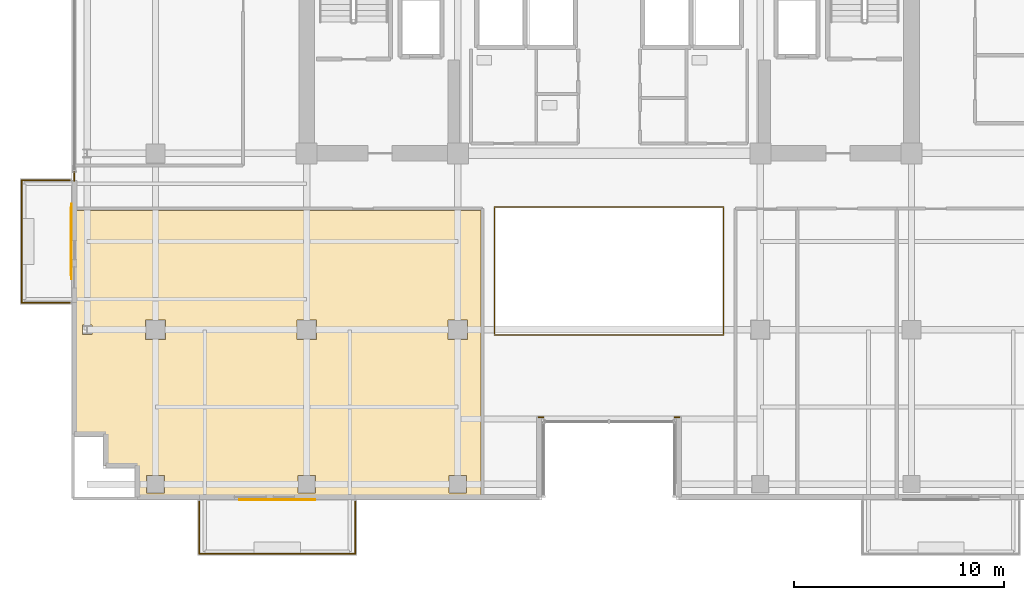
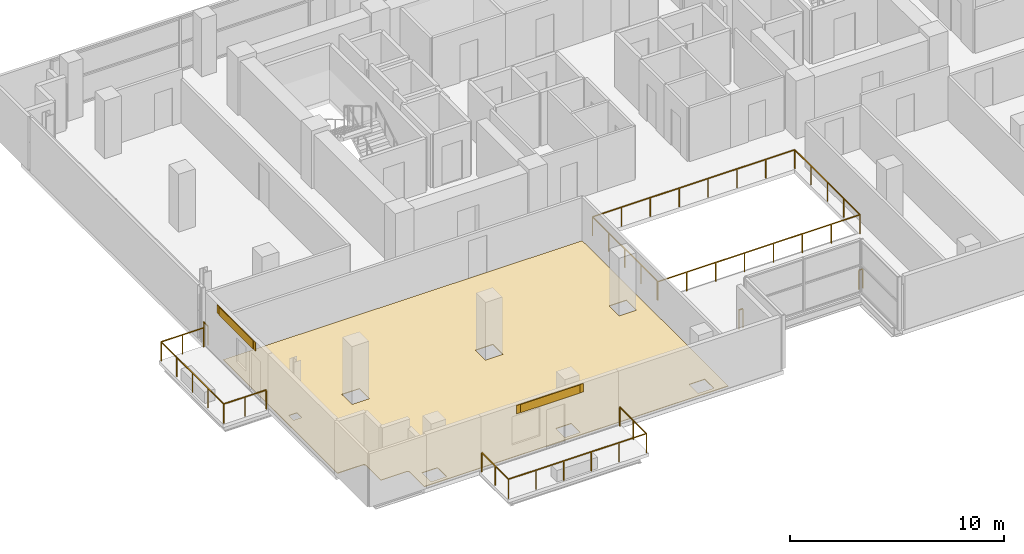
# One storey, part 19 of 22: 6 railings, 3 coverings, 2 shading devices.
"""IFC4 building model written with IfcOpenShell, lengths in metres."""

from ifc_helpers import new_model, si_unit, direction, frame, origin, origin_2d, place, context, subcontext, project, spatial, polyline, rectangle, outline, extrude, source, transform, mapped, material, layer, layer_set, type_object, element, save


model = new_model("IFC4")

# Units and contexts
model_context = context("Model", 3, precision=1e-05, world=origin(), true_north=direction((0.0, 1.0)))
body_context = subcontext(model_context, "Body", "Model", "MODEL_VIEW")
ifc_project = project(units=[si_unit("LENGTHUNIT", "METRE"), si_unit("AREAUNIT", "SQUARE_METRE"), si_unit("VOLUMEUNIT", "CUBIC_METRE"), si_unit("PLANEANGLEUNIT", "RADIAN"), si_unit("MASSUNIT", "GRAM", prefix="KILO")], contexts=[model_context])

# Site, building, storey
site_placement = place(None, origin())
site = spatial("IfcSite", under=ifc_project, at=site_placement, CompositionType="ELEMENT")
building_placement = place(site_placement, origin())
building = spatial("IfcBuilding", under=site, at=building_placement, Name="Zarnakvel Exchange Tower", CompositionType="ELEMENT")
storey_placement = place(building_placement, frame((0.0, 0.0, 136.300048828125)))
storey = spatial("IfcBuildingStorey", under=building, at=storey_placement, Name="L38", CompositionType="ELEMENT", Elevation=136.300048828125)

# Covering
ifc_material_1 = material(Name="Heavy-Duty Raised Access Floor Panel", Category="steel")
ifc_layer_1 = layer(ifc_material_1, 0.034912109375)
ifc_layer_set_1 = layer_set([ifc_layer_1], Name="Heavy-Duty Raised Access Floor Panel")
covering_type_1 = type_object("IfcCoveringType", Name="FLR-02", PredefinedType="FLOORING", material=ifc_layer_set_1)
covering_placement = place(storey_placement, origin())
element("IfcCovering", 1, at=covering_placement, inside=storey, type_object=covering_type_1, Name="L38 Floor Finish (Sovereign Wealth Office)", PredefinedType="FLOORING", context=body_context, shape_type="SweptSolid", body=[
    extrude(outline(polyline([(-6.10009765625, -3.909912109375), (-6.10009765625, -17.550048828125), (-22.47998046875, -17.550048828125), (-22.47998046875, -16.199951171875), (-22.48046875, -16.188232421875), (-22.482421875, -16.176513671875), (-22.485107421875, -16.165283203125), (-22.489013671875, -16.154052734375), (-22.494140625, -16.143310546875), (-22.500244140625, -16.13330078125), (-22.50732421875, -16.123779296875), (-22.51513671875, -16.115234375), (-22.52392578125, -16.107177734375), (-22.533447265625, -16.100341796875), (-22.54345703125, -16.09423828125), (-22.55419921875, -16.089111328125), (-22.565185546875, -16.085205078125), (-22.57666015625, -16.082275390625), (-22.588134765625, -16.08056640625), (-22.60009765625, -16.080078125), (-23.97998046875, -16.080078125), (-23.97998046875, -14.699951171875), (-23.98046875, -14.688232421875), (-23.982421875, -14.676513671875), (-23.985107421875, -14.665283203125), (-23.989013671875, -14.654052734375), (-23.994140625, -14.643310546875), (-24.000244140625, -14.63330078125), (-24.00732421875, -14.623779296875), (-24.01513671875, -14.615234375), (-24.02392578125, -14.607177734375), (-24.033447265625, -14.600341796875), (-24.04345703125, -14.59423828125), (-24.05419921875, -14.589111328125), (-24.065185546875, -14.585205078125), (-24.07666015625, -14.582275390625), (-24.088134765625, -14.58056640625), (-24.10009765625, -14.580078125), (-25.449951171875, -14.580078125), (-25.449951171875, -3.909912109375), (-6.10009765625, -3.909912109375)]), holes=[polyline([(-7.669921875, -10.070068359375), (-6.72998046875, -10.070068359375), (-6.72998046875, -9.1298828125), (-7.669921875, -9.1298828125), (-7.669921875, -10.070068359375)]), polyline([(-6.780029296875, -17.3701171875), (-6.780029296875, -16.530029296875), (-7.6201171875, -16.530029296875), (-7.6201171875, -17.3701171875), (-6.780029296875, -17.3701171875)]), polyline([(-13.929931640625, -10.070068359375), (-13.929931640625, -9.1298828125), (-14.8701171875, -9.1298828125), (-14.8701171875, -10.070068359375), (-13.929931640625, -10.070068359375)]), polyline([(-13.97998046875, -17.3701171875), (-13.97998046875, -16.530029296875), (-14.820068359375, -16.530029296875), (-14.820068359375, -17.3701171875), (-13.97998046875, -17.3701171875)]), polyline([(-21.1298828125, -10.070068359375), (-21.1298828125, -9.1298828125), (-22.070068359375, -9.1298828125), (-22.070068359375, -10.070068359375), (-21.1298828125, -10.070068359375)]), polyline([(-21.179931640625, -17.3701171875), (-21.179931640625, -16.530029296875), (-22.02001953125, -16.530029296875), (-22.02001953125, -17.3701171875), (-21.179931640625, -17.3701171875)]), polyline([(-25.072021484375, -9.823486328125), (-24.6279296875, -9.823486328125), (-24.6279296875, -9.37646484375), (-25.072021484375, -9.37646484375), (-25.072021484375, -9.823486328125)])]), origin(), (0.0, 0.0, 1.0), 0.034912109375),
])

# Railings
ifc_material_2 = material(Name="Architectural Bronze Anodised Aluminium", Category="aluminium")
railing_type_1 = type_object("IfcRailingType", Name="GR-02", PredefinedType="GUARDRAIL", material=ifc_material_2)
railing_1_placement = place(storey_placement, frame((-19.52001953125, -17.780029296875, -0.03515625)))
element("IfcRailing", 2, at=railing_1_placement, inside=storey, type_object=railing_type_1, Name="L38 Balcony Guardrail BAL-L38-SW", PredefinedType="GUARDRAIL", context=body_context, shape_type="SweptSolid", body=[
    extrude(rectangle(XDim=0.048095703125, YDim=0.048095703125, at=origin_2d()), frame((0.0, 0.0, 1.09619140625), z_axis=(0.0, -1.0, 0.0), x_axis=(1.0, 0.0, 0.0)), (0.0, 0.0, 1.0), 2.489990234375),
    extrude(rectangle(XDim=0.048095703125, YDim=0.048095703125, at=origin_2d()), frame((0.0, -2.489990234375, 1.09619140625), z_axis=(1.0, 0.0, 0.0), x_axis=(0.0, 1.0, 0.0)), (0.0, 0.0, 1.0), 7.43994140625),
    extrude(rectangle(XDim=0.048095703125, YDim=0.048095703125, at=origin_2d()), frame((7.43994140625, -2.489990234375, 1.09619140625), z_axis=(0.0, 1.0, 0.0), x_axis=(-1.0, 0.0, 0.0)), (0.0, 0.0, 1.0), 2.489990234375),
    extrude(rectangle(XDim=0.0419921875, YDim=0.0419921875, at=origin_2d()), origin(), (0.0, 0.0, 1.0), 1.072021484375),
    extrude(rectangle(XDim=0.0419921875, YDim=0.0419921875, at=origin_2d()), frame((0.0, -1.2451171875, 0.0)), (0.0, 0.0, 1.0), 1.072021484375),
    extrude(rectangle(XDim=0.0419921875, YDim=0.0419921875, at=origin_2d()), frame((0.0, -2.489990234375, 0.0)), (0.0, 0.0, 1.0), 1.072021484375),
    extrude(rectangle(XDim=0.0419921875, YDim=0.0419921875, at=origin_2d()), frame((1.488037109375, -2.489990234375, 0.0)), (0.0, 0.0, 1.0), 1.072021484375),
    extrude(rectangle(XDim=0.0419921875, YDim=0.0419921875, at=origin_2d()), frame((2.97607421875, -2.489990234375, 0.0)), (0.0, 0.0, 1.0), 1.072021484375),
    extrude(rectangle(XDim=0.0419921875, YDim=0.0419921875, at=origin_2d()), frame((4.4638671875, -2.489990234375, 0.0)), (0.0, 0.0, 1.0), 1.072021484375),
    extrude(rectangle(XDim=0.0419921875, YDim=0.0419921875, at=origin_2d()), frame((5.951904296875, -2.489990234375, 0.0)), (0.0, 0.0, 1.0), 1.072021484375),
    extrude(rectangle(XDim=0.0419921875, YDim=0.0419921875, at=origin_2d()), frame((7.43994140625, -2.489990234375, 0.0)), (0.0, 0.0, 1.0), 1.072021484375),
    extrude(rectangle(XDim=0.0419921875, YDim=0.0419921875, at=origin_2d()), frame((7.43994140625, -1.2451171875, 0.0)), (0.0, 0.0, 1.0), 1.072021484375),
    extrude(rectangle(XDim=0.0419921875, YDim=0.0419921875, at=origin_2d()), frame((7.43994140625, 0.0, 0.0)), (0.0, 0.0, 1.0), 1.072021484375),
])
railing_2_placement = place(storey_placement, frame((-25.679931640625, -8.320068359375, -0.03515625)))
element("IfcRailing", 3, at=railing_2_placement, inside=storey, type_object=railing_type_1, Name="L38 Balcony Guardrail BAL-L38-W", PredefinedType="GUARDRAIL", context=body_context, shape_type="SweptSolid", body=[
    extrude(rectangle(XDim=0.048095703125, YDim=0.048095703125, at=origin_2d()), frame((0.0, 0.0, 1.09619140625), z_axis=(-1.0, 0.0, 0.0), x_axis=(0.0, -1.0, 0.0)), (0.0, 0.0, 1.0), 2.2900390625),
    extrude(rectangle(XDim=0.048095703125, YDim=0.048095703125, at=origin_2d()), frame((-2.2900390625, 0.0, 1.09619140625), z_axis=(0.0, 1.0, 0.0), x_axis=(-1.0, 0.0, 0.0)), (0.0, 0.0, 1.0), 5.840087890625),
    extrude(rectangle(XDim=0.048095703125, YDim=0.048095703125, at=origin_2d()), frame((-2.2900390625, 5.840087890625, 1.09619140625), z_axis=(1.0, 0.0, 0.0), x_axis=(0.0, 1.0, 0.0)), (0.0, 0.0, 1.0), 2.2900390625),
    extrude(rectangle(XDim=0.0419921875, YDim=0.0419921875, at=origin_2d()), origin(), (0.0, 0.0, 1.0), 1.072021484375),
    extrude(rectangle(XDim=0.0419921875, YDim=0.0419921875, at=origin_2d()), frame((-1.14501953125, 0.0, 0.0)), (0.0, 0.0, 1.0), 1.072021484375),
    extrude(rectangle(XDim=0.0419921875, YDim=0.0419921875, at=origin_2d()), frame((-2.2900390625, 0.0, 0.0)), (0.0, 0.0, 1.0), 1.072021484375),
    extrude(rectangle(XDim=0.0419921875, YDim=0.0419921875, at=origin_2d()), frame((-2.2900390625, 1.4599609375, 0.0)), (0.0, 0.0, 1.0), 1.072021484375),
    extrude(rectangle(XDim=0.0419921875, YDim=0.0419921875, at=origin_2d()), frame((-2.2900390625, 2.919921875, 0.0)), (0.0, 0.0, 1.0), 1.072021484375),
    extrude(rectangle(XDim=0.0419921875, YDim=0.0419921875, at=origin_2d()), frame((-2.2900390625, 4.380126953125, 0.0)), (0.0, 0.0, 1.0), 1.072021484375),
    extrude(rectangle(XDim=0.0419921875, YDim=0.0419921875, at=origin_2d()), frame((-2.2900390625, 5.840087890625, 0.0)), (0.0, 0.0, 1.0), 1.072021484375),
    extrude(rectangle(XDim=0.0419921875, YDim=0.0419921875, at=origin_2d()), frame((-1.14501953125, 5.840087890625, 0.0)), (0.0, 0.0, 1.0), 1.072021484375),
    extrude(rectangle(XDim=0.0419921875, YDim=0.0419921875, at=origin_2d()), frame((0.0, 5.840087890625, 0.0)), (0.0, 0.0, 1.0), 1.072021484375),
])
railing_3_placement = place(storey_placement, frame((-25.4599609375, -2.5, 0.0)))
element("IfcRailing", 4, at=railing_3_placement, inside=storey, type_object=railing_type_1, Name="L38 Corner Spandrel Balustrade #2", PredefinedType="GUARDRAIL", context=body_context, shape_type="SweptSolid", body=[
    extrude(rectangle(XDim=0.048095703125, YDim=0.048095703125, at=origin_2d()), frame((0.0, 0.0, 1.09619140625), z_axis=(0.0, 1.0, 0.0), x_axis=(-1.0, 0.0, 0.0)), (0.0, 0.0, 1.0), 0.39990234375),
    extrude(rectangle(XDim=0.0419921875, YDim=0.0419921875, at=origin_2d()), origin(), (0.0, 0.0, 1.0), 1.072021484375),
    extrude(rectangle(XDim=0.0419921875, YDim=0.0419921875, at=origin_2d()), frame((0.0, 0.39990234375, 0.0)), (0.0, 0.0, 1.0), 1.072021484375),
])
for number, where, name in (
    (5, (3.340087890625, -13.760009765625, 0.0), "L38 Corner Spandrel Balustrade #18"),
    (6, (-3.1201171875, -13.760009765625, 0.0), "L38 Corner Spandrel Balustrade #19"),
):
    element("IfcRailing", number, at=place(storey_placement, frame(where)), inside=storey, type_object=railing_type_1, Name=name, PredefinedType="GUARDRAIL", context=body_context, shape_type="SweptSolid", body=[
        extrude(rectangle(XDim=0.048095703125, YDim=0.048095703125, at=origin_2d()), frame((0.0, 0.0, 1.09619140625), z_axis=(-1.0, 0.0, 0.0), x_axis=(0.0, -1.0, 0.0)), (0.0, 0.0, 1.0), 0.219970703125),
        extrude(rectangle(XDim=0.0419921875, YDim=0.0419921875, at=origin_2d()), origin(), (0.0, 0.0, 1.0), 1.072021484375),
        extrude(rectangle(XDim=0.0419921875, YDim=0.0419921875, at=origin_2d()), frame((-0.219970703125, 0.0, 0.0)), (0.0, 0.0, 1.0), 1.072021484375),
    ])
railing_type_2 = type_object("IfcRailingType", Name="GR-03", PredefinedType="GUARDRAIL", material=ifc_material_2)
railing_4_placement = place(storey_placement, frame((-5.449951171875, -9.85009765625, 0.0)))
element("IfcRailing", 7, at=railing_4_placement, inside=storey, type_object=railing_type_2, Name="L38 Atrium Void Perimeter Balustrade", PredefinedType="GUARDRAIL", context=body_context, shape_type="SweptSolid", body=[
    extrude(rectangle(XDim=0.048095703125, YDim=0.048095703125, at=origin_2d()), frame((0.0, 0.0, 1.076171875), z_axis=(1.0, 0.0, 0.0), x_axis=(0.0, 1.0, 0.0)), (0.0, 0.0, 1.0), 10.89990234375),
    extrude(rectangle(XDim=0.048095703125, YDim=0.048095703125, at=origin_2d()), frame((10.89990234375, 0.0, 1.076171875), z_axis=(0.0, 1.0, 0.0), x_axis=(-1.0, 0.0, 0.0)), (0.0, 0.0, 1.0), 6.10009765625),
    extrude(rectangle(XDim=0.048095703125, YDim=0.048095703125, at=origin_2d()), frame((10.89990234375, 6.10009765625, 1.076171875), z_axis=(-1.0, 0.0, 0.0), x_axis=(0.0, -1.0, 0.0)), (0.0, 0.0, 1.0), 10.89990234375),
    extrude(rectangle(XDim=0.048095703125, YDim=0.048095703125, at=origin_2d()), frame((0.0, 6.10009765625, 1.076171875), z_axis=(0.0, -1.0, 0.0), x_axis=(1.0, 0.0, 0.0)), (0.0, 0.0, 1.0), 6.02001953125),
    extrude(rectangle(XDim=0.0419921875, YDim=0.0419921875, at=origin_2d()), origin(), (0.0, 0.0, 1.0), 1.052001953125),
    extrude(rectangle(XDim=0.0419921875, YDim=0.0419921875, at=origin_2d()), frame((1.55712890625, 0.0, 0.0)), (0.0, 0.0, 1.0), 1.052001953125),
    extrude(rectangle(XDim=0.0419921875, YDim=0.0419921875, at=origin_2d()), frame((3.1142578125, 0.0, 0.0)), (0.0, 0.0, 1.0), 1.052001953125),
    extrude(rectangle(XDim=0.0419921875, YDim=0.0419921875, at=origin_2d()), frame((4.67138671875, 0.0, 0.0)), (0.0, 0.0, 1.0), 1.052001953125),
    extrude(rectangle(XDim=0.0419921875, YDim=0.0419921875, at=origin_2d()), frame((6.228515625, 0.0, 0.0)), (0.0, 0.0, 1.0), 1.052001953125),
    extrude(rectangle(XDim=0.0419921875, YDim=0.0419921875, at=origin_2d()), frame((7.78564453125, 0.0, 0.0)), (0.0, 0.0, 1.0), 1.052001953125),
    extrude(rectangle(XDim=0.0419921875, YDim=0.0419921875, at=origin_2d()), frame((9.3427734375, 0.0, 0.0)), (0.0, 0.0, 1.0), 1.052001953125),
    extrude(rectangle(XDim=0.0419921875, YDim=0.0419921875, at=origin_2d()), frame((10.89990234375, 0.0, 0.0)), (0.0, 0.0, 1.0), 1.052001953125),
    extrude(rectangle(XDim=0.0419921875, YDim=0.0419921875, at=origin_2d()), frame((10.89990234375, 1.52490234375, 0.0)), (0.0, 0.0, 1.0), 1.052001953125),
    extrude(rectangle(XDim=0.0419921875, YDim=0.0419921875, at=origin_2d()), frame((10.89990234375, 3.050048828125, 0.0)), (0.0, 0.0, 1.0), 1.052001953125),
    extrude(rectangle(XDim=0.0419921875, YDim=0.0419921875, at=origin_2d()), frame((10.89990234375, 4.5751953125, 0.0)), (0.0, 0.0, 1.0), 1.052001953125),
    extrude(rectangle(XDim=0.0419921875, YDim=0.0419921875, at=origin_2d()), frame((10.89990234375, 6.10009765625, 0.0)), (0.0, 0.0, 1.0), 1.052001953125),
    extrude(rectangle(XDim=0.0419921875, YDim=0.0419921875, at=origin_2d()), frame((9.3427734375, 6.10009765625, 0.0)), (0.0, 0.0, 1.0), 1.052001953125),
    extrude(rectangle(XDim=0.0419921875, YDim=0.0419921875, at=origin_2d()), frame((7.78564453125, 6.10009765625, 0.0)), (0.0, 0.0, 1.0), 1.052001953125),
    extrude(rectangle(XDim=0.0419921875, YDim=0.0419921875, at=origin_2d()), frame((6.228515625, 6.10009765625, 0.0)), (0.0, 0.0, 1.0), 1.052001953125),
    extrude(rectangle(XDim=0.0419921875, YDim=0.0419921875, at=origin_2d()), frame((4.67138671875, 6.10009765625, 0.0)), (0.0, 0.0, 1.0), 1.052001953125),
    extrude(rectangle(XDim=0.0419921875, YDim=0.0419921875, at=origin_2d()), frame((3.1142578125, 6.10009765625, 0.0)), (0.0, 0.0, 1.0), 1.052001953125),
    extrude(rectangle(XDim=0.0419921875, YDim=0.0419921875, at=origin_2d()), frame((1.55712890625, 6.10009765625, 0.0)), (0.0, 0.0, 1.0), 1.052001953125),
    extrude(rectangle(XDim=0.0419921875, YDim=0.0419921875, at=origin_2d()), frame((0.0, 6.10009765625, 0.0)), (0.0, 0.0, 1.0), 1.052001953125),
    extrude(rectangle(XDim=0.0419921875, YDim=0.0419921875, at=origin_2d()), frame((0.0, 4.59521484375, 0.0)), (0.0, 0.0, 1.0), 1.052001953125),
    extrude(rectangle(XDim=0.0419921875, YDim=0.0419921875, at=origin_2d()), frame((0.0, 3.090087890625, 0.0)), (0.0, 0.0, 1.0), 1.052001953125),
    extrude(rectangle(XDim=0.0419921875, YDim=0.0419921875, at=origin_2d()), frame((0.0, 1.5849609375, 0.0)), (0.0, 0.0, 1.0), 1.052001953125),
    extrude(rectangle(XDim=0.0419921875, YDim=0.0419921875, at=origin_2d()), frame((0.0, 0.080078125, 0.0)), (0.0, 0.0, 1.0), 1.052001953125),
])

# Shading devices
ifc_material_3 = material(Name="Perforated Architectural Bronze Screen", Category="aluminium")
ifc_layer_2 = layer(ifc_material_3, 0.044921875)
ifc_layer_set_2 = layer_set([ifc_layer_2], Name="Perforated Architectural Bronze Screen")
shading_device_type = type_object("IfcShadingDeviceType", Name="SS-01", PredefinedType="JALOUSIE", material=ifc_layer_set_2)
shared_shape_1 = source(origin(), body_context, "Body", "SweptSolid", [
    extrude(rectangle(XDim=3.199951171875, YDim=0.044921875, at=origin_2d()), origin(), (0.0, 0.0, 1.0), 0.469970703125),
])
for number, where, z_axis, x_axis, name in (
    (8, (-15.800048828125, -17.700439453125, 2.56005859375), (0.0, 0.0, 1.0), (-1.0, 0.0, 0.0), "L38 Bronze Solar Shading Screen SS-01"),
    (9, (-25.6005859375, -5.39990234375, 2.56005859375), (0.0, 0.0, 1.0), (0.0, 1.0, 0.0), "L38 Bronze Solar Shading Screen SS-01"),
):
    element("IfcShadingDevice", number, at=place(storey_placement, frame(where, z_axis=z_axis, x_axis=x_axis)), inside=storey, type_object=shading_device_type, Name=name, PredefinedType="JALOUSIE", context=body_context, shape_type="MappedRepresentation", body=[
        mapped(shared_shape_1, transform((0.0, 0.0, 0.0), x_axis=(1.0, 0.0, 0.0), y_axis=(0.0, 1.0, 0.0), z_axis=(0.0, 0.0, 1.0), scale=1.0)),
    ])

# Coverings
ifc_material_4 = material(Name="Glazed Turquoise Ceramic Architectural Tile", Category="ceramic")
ifc_layer_3 = layer(ifc_material_4, 0.028076171875)
ifc_layer_set_3 = layer_set([ifc_layer_3], Name="Glazed Turquoise Ceramic Architectural Tile")
covering_type_2 = type_object("IfcCoveringType", Name="CL-01", PredefinedType="CLADDING", material=ifc_layer_set_3)
shared_shape_2 = source(origin(), body_context, "Body", "SweptSolid", [
    extrude(rectangle(XDim=3.60009765625, YDim=0.028076171875, at=origin_2d()), origin(), (0.0, 0.0, 1.0), 0.469970703125),
])
for number, where, z_axis, x_axis, name in (
    (10, (-15.800048828125, -17.69189453125, 2.56005859375), (0.0, 0.0, 1.0), (-1.0, 0.0, 0.0), "L38 Ceramic Spandrel Tilework CL-01"),
    (11, (-25.592041015625, -5.39990234375, 2.56005859375), (0.0, 0.0, 1.0), (0.0, 1.0, 0.0), "L38 Ceramic Spandrel Tilework CL-01"),
):
    element("IfcCovering", number, at=place(storey_placement, frame(where, z_axis=z_axis, x_axis=x_axis)), inside=storey, type_object=covering_type_2, Name=name, PredefinedType="CLADDING", context=body_context, shape_type="MappedRepresentation", body=[
        mapped(shared_shape_2, transform((0.0, 0.0, 0.0), x_axis=(1.0, 0.0, 0.0), y_axis=(0.0, 1.0, 0.0), z_axis=(0.0, 0.0, 1.0), scale=1.0)),
    ])

save(model, "model.ifc")
